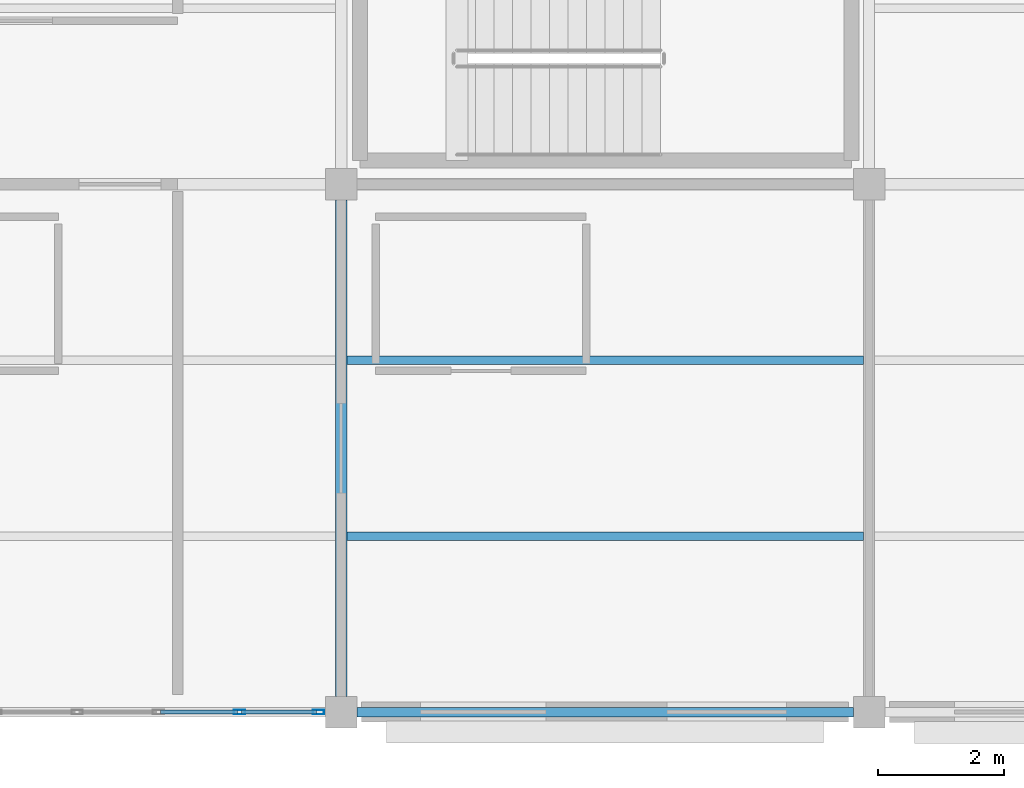
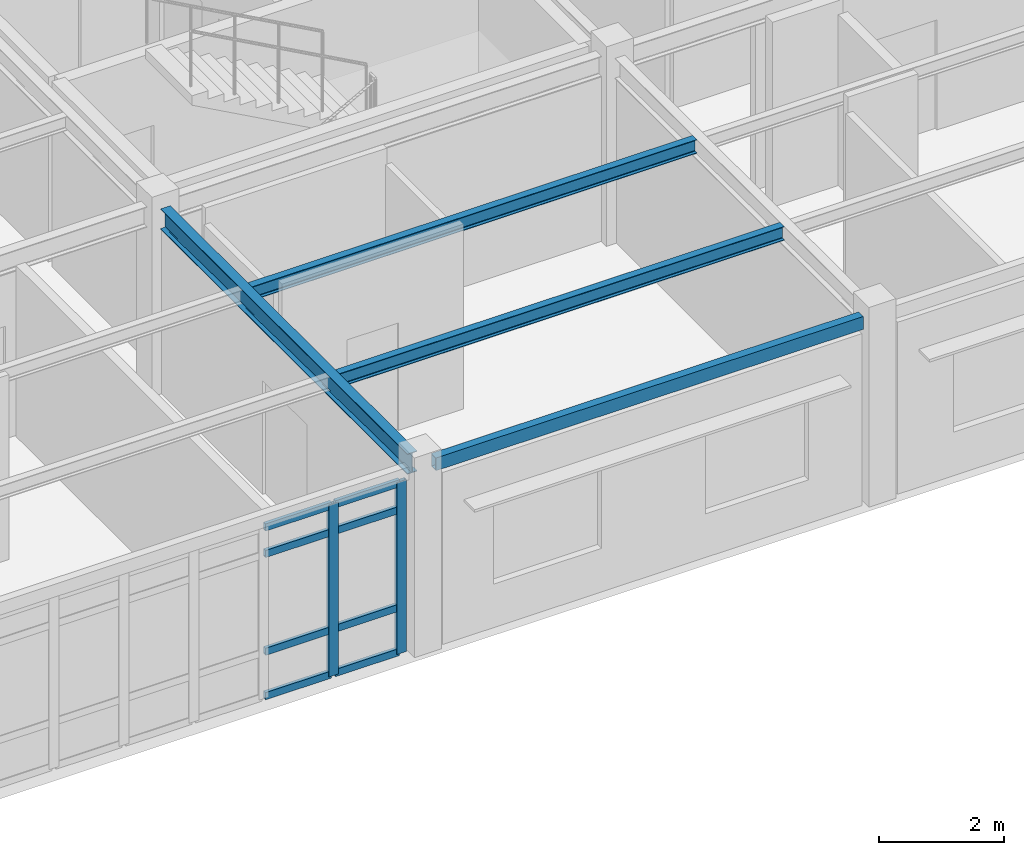
# One storey, part 4 of 53: 10 members, 4 beams, 1 element without a shape of its own.
"""IFC4 building model written with IfcOpenShell, lengths in metres."""

from ifc_helpers import new_model, si_unit, direction, frame, origin, origin_2d, place, context, subcontext, project, spatial, hollow_rectangle, i_section, extrude, material, layer, layer_set, material_profile, profile_set, type_object, element, aggregate, save


model = new_model("IFC4")

# Units and contexts
model_context = context("Model", 3, precision=1e-05, world=origin(), true_north=direction((0.0, 1.0)))
body_context = subcontext(model_context, "Body", "Model", "MODEL_VIEW")
ifc_project = project(units=[si_unit("LENGTHUNIT", "METRE"), si_unit("AREAUNIT", "SQUARE_METRE"), si_unit("VOLUMEUNIT", "CUBIC_METRE"), si_unit("PLANEANGLEUNIT", "RADIAN"), si_unit("MASSUNIT", "GRAM", prefix="KILO")], contexts=[model_context])

# Site, building, storey
site_placement = place(None, origin())
site = spatial("IfcSite", under=ifc_project, at=site_placement, CompositionType="ELEMENT")
building_placement = place(site_placement, origin())
building = spatial("IfcBuilding", under=site, at=building_placement, Name="Bramfleet General Hospital", CompositionType="ELEMENT")
storey_placement = place(building_placement, frame((0.0, 0.0, 26.39990234375)))
storey = spatial("IfcBuildingStorey", under=building, at=storey_placement, Name="L06", CompositionType="ELEMENT", Elevation=26.39990234375)

# Beams
ifc_material_1 = material(Name="Steel S355", Category="steel")
ifc_material_profile_1 = material_profile(ifc_material_1, i_section(OverallWidth=0.135009765625, OverallDepth=0.27001953125, WebThickness=0.006591796875, FlangeThickness=0.01025390625, FilletRadius=0.014892578125, at=origin_2d()), Name="IPE 270")
ifc_profile_set_1 = profile_set([ifc_material_profile_1], Name="Steel S355")
beam_type_1 = type_object("IfcBeamType", Name="BM-IPE270", PredefinedType="JOIST", material=ifc_profile_set_1)
for number, where, z_axis, x_axis, name in (
    (1, (100.889892578125, 2.800048828125, 3.485107421875), (1.0, 0.0, 0.0), (0.0, 1.0, 0.0), "L06 Secondary Joist 12-00-1"),
    (2, (100.889892578125, 5.60009765625, 3.485107421875), (1.0, 0.0, 0.0), (0.0, 1.0, 0.0), "L06 Secondary Joist 12-00-2"),
):
    element("IfcBeam", number, at=place(storey_placement, frame(where, z_axis=z_axis, x_axis=x_axis)), inside=storey, type_object=beam_type_1, Name=name, PredefinedType="JOIST", context=body_context, shape_type="SweptSolid", body=[
        extrude(i_section(OverallWidth=0.135009765625, OverallDepth=0.27001953125, WebThickness=0.006591796875, FlangeThickness=0.01025390625, FilletRadius=0.014892578125, at=origin_2d()), origin(), (0.0, 0.0, 1.0), 8.22021484375),
    ])
ifc_material_profile_2 = material_profile(ifc_material_1, i_section(OverallWidth=0.179931640625, OverallDepth=0.39990234375, WebThickness=0.008544921875, FlangeThickness=0.013427734375, FilletRadius=0.02099609375, at=origin_2d()), Name="IPE 400")
ifc_profile_set_2 = profile_set([ifc_material_profile_2], Name="Steel S355")
beam_type_2 = type_object("IfcBeamType", Name="BM-IPE400", PredefinedType="BEAM", material=ifc_profile_set_2)
beam_1_placement = place(storey_placement, frame((100.800048828125, 0.25, 3.420166015625), z_axis=(0.0, 1.0, 0.0), x_axis=(-1.0, 0.0, 0.0)))
element("IfcBeam", 3, at=beam_1_placement, inside=storey, type_object=beam_type_2, Name="L06 Grid Beam Y 12-00", PredefinedType="BEAM", context=body_context, shape_type="SweptSolid", body=[
    extrude(i_section(OverallWidth=0.179931640625, OverallDepth=0.39990234375, WebThickness=0.008544921875, FlangeThickness=0.013427734375, FilletRadius=0.02099609375, at=origin_2d()), origin(), (0.0, 0.0, 1.0), 7.89990234375),
])
ifc_material_profile_3 = material_profile(ifc_material_1, hollow_rectangle(XDim=0.14990234375, YDim=0.25, WallThickness=0.010009765625, at=origin_2d()), Name="RHS 250x150x10.0")
ifc_profile_set_3 = profile_set([ifc_material_profile_3], Name="Steel S355")
beam_type_3 = type_object("IfcBeamType", Name="BM-RHS250", PredefinedType="SPANDREL", material=ifc_profile_set_3)
beam_2_placement = place(storey_placement, frame((101.050048828125, 0.0, 3.4951171875), z_axis=(1.0, 0.0, 0.0), x_axis=(0.0, 1.0, 0.0)))
element("IfcBeam", 4, at=beam_2_placement, inside=storey, type_object=beam_type_3, Name="L06 Grid Beam X 12-00", PredefinedType="SPANDREL", context=body_context, shape_type="SweptSolid", body=[
    extrude(hollow_rectangle(XDim=0.14990234375, YDim=0.25, WallThickness=0.010009765625, at=origin_2d()), origin(), (0.0, 0.0, 1.0), 7.89990234375),
])

# Curtain wall, members
ifc_material_2 = material(Name="Anodised aluminium and low-E triple glazing", Category="aluminium")
ifc_layer = layer(ifc_material_2, 0.179931640625, Name="CWT-CW-05")
ifc_layer_set = layer_set([ifc_layer], Name="Anodised aluminium and low-E triple glazing")
curtain_wall_type = type_object("IfcCurtainWallType", Name="CWT-CW-05", PredefinedType="USERDEFINED", material=ifc_layer_set)
curtain_wall_placement = place(storey_placement, origin())
curtain_wall = element("IfcCurtainWall", 5, at=curtain_wall_placement, inside=storey, type_object=curtain_wall_type, Name="L06 Curtain Wall 221", ObjectType="Unitised curtain wall", PredefinedType="USERDEFINED")
ifc_material_3 = material(Name="Anodised aluminium EN AW-6060", Category="aluminium")
ifc_material_profile_4 = material_profile(ifc_material_3, hollow_rectangle(XDim=0.070068359375, YDim=0.179931640625, WallThickness=0.00390625, at=origin_2d()), Name="ALU 180x70x4.0")
ifc_profile_set_4 = profile_set([ifc_material_profile_4], Name="Anodised aluminium EN AW-6060")
member_type_1 = type_object("IfcMemberType", Name="CWM-ALU180", PredefinedType="MULLION", material=ifc_profile_set_4)
member_1_placement = place(storey_placement, frame((100.43994140625, 0.0, 0.0), z_axis=(0.0, 0.0, 1.0), x_axis=(0.0, -1.0, 0.0)))
member_1 = element("IfcMember", 6, at=member_1_placement, type_object=member_type_1, Name="CW-05 mullion 1", PredefinedType="MULLION", context=body_context, shape_type="SweptSolid", body=[
    extrude(hollow_rectangle(XDim=0.070068359375, YDim=0.179931640625, WallThickness=0.00390625, at=origin_2d()), origin(), (0.0, 0.0, 1.0), 3.360107421875),
])
member_2_placement = place(storey_placement, frame((99.183349609375, 0.0, 0.0), z_axis=(0.0, 0.0, 1.0), x_axis=(0.0, -1.0, 0.0)))
member_2 = element("IfcMember", 7, at=member_2_placement, type_object=member_type_1, Name="CW-05 mullion 2", PredefinedType="MULLION", context=body_context, shape_type="SweptSolid", body=[
    extrude(hollow_rectangle(XDim=0.070068359375, YDim=0.179931640625, WallThickness=0.00390625, at=origin_2d()), origin(), (0.0, 0.0, 1.0), 3.360107421875),
])
ifc_material_profile_5 = material_profile(ifc_material_3, hollow_rectangle(XDim=0.06494140625, YDim=0.139892578125, WallThickness=0.00390625, at=origin_2d()), Name="ALU 140x65x4.0")
ifc_profile_set_5 = profile_set([ifc_material_profile_5], Name="Anodised aluminium EN AW-6060")
member_type_2 = type_object("IfcMemberType", Name="CWT-ALU140", PredefinedType="USERDEFINED", material=ifc_profile_set_5)
member_3_placement = place(storey_placement, frame((100.405029296875, 0.0, 0.03271484375), z_axis=(-1.0, 0.0, 0.0), x_axis=(0.0, -1.0, 0.0)))
member_3 = element("IfcMember", 8, at=member_3_placement, type_object=member_type_2, Name="CW-05 transom 1.1", ObjectType="TRANSOM", PredefinedType="USERDEFINED", context=body_context, shape_type="SweptSolid", body=[
    extrude(hollow_rectangle(XDim=0.06494140625, YDim=0.139892578125, WallThickness=0.00390625, at=origin_2d()), origin(), (0.0, 0.0, 1.0), 1.186767578125),
])
member_4_placement = place(storey_placement, frame((100.405029296875, 0.0, 0.900146484375), z_axis=(-1.0, 0.0, 0.0), x_axis=(0.0, -1.0, 0.0)))
member_4 = element("IfcMember", 9, at=member_4_placement, type_object=member_type_2, Name="CW-05 transom 1.2", ObjectType="TRANSOM", PredefinedType="USERDEFINED", context=body_context, shape_type="SweptSolid", body=[
    extrude(hollow_rectangle(XDim=0.06494140625, YDim=0.139892578125, WallThickness=0.00390625, at=origin_2d()), origin(), (0.0, 0.0, 1.0), 1.186767578125),
])
member_5_placement = place(storey_placement, frame((100.405029296875, 0.0, 2.81005859375), z_axis=(-1.0, 0.0, 0.0), x_axis=(0.0, -1.0, 0.0)))
member_5 = element("IfcMember", 10, at=member_5_placement, type_object=member_type_2, Name="CW-05 transom 1.3", ObjectType="TRANSOM", PredefinedType="USERDEFINED", context=body_context, shape_type="SweptSolid", body=[
    extrude(hollow_rectangle(XDim=0.06494140625, YDim=0.139892578125, WallThickness=0.00390625, at=origin_2d()), origin(), (0.0, 0.0, 1.0), 1.186767578125),
])
member_6_placement = place(storey_placement, frame((100.405029296875, 0.0, 3.32763671875), z_axis=(-1.0, 0.0, 0.0), x_axis=(0.0, -1.0, 0.0)))
member_6 = element("IfcMember", 11, at=member_6_placement, type_object=member_type_2, Name="CW-05 transom 1.4", ObjectType="TRANSOM", PredefinedType="USERDEFINED", context=body_context, shape_type="SweptSolid", body=[
    extrude(hollow_rectangle(XDim=0.06494140625, YDim=0.139892578125, WallThickness=0.00390625, at=origin_2d()), origin(), (0.0, 0.0, 1.0), 1.186767578125),
])
member_7_placement = place(storey_placement, frame((99.1484375, 0.0, 0.03271484375), z_axis=(-1.0, 0.0, 0.0), x_axis=(0.0, -1.0, 0.0)))
member_7 = element("IfcMember", 12, at=member_7_placement, type_object=member_type_2, Name="CW-05 transom 2.1", ObjectType="TRANSOM", PredefinedType="USERDEFINED", context=body_context, shape_type="SweptSolid", body=[
    extrude(hollow_rectangle(XDim=0.06494140625, YDim=0.139892578125, WallThickness=0.00390625, at=origin_2d()), origin(), (0.0, 0.0, 1.0), 1.2216796875),
])
member_8_placement = place(storey_placement, frame((99.1484375, 0.0, 0.900146484375), z_axis=(-1.0, 0.0, 0.0), x_axis=(0.0, -1.0, 0.0)))
member_8 = element("IfcMember", 13, at=member_8_placement, type_object=member_type_2, Name="CW-05 transom 2.2", ObjectType="TRANSOM", PredefinedType="USERDEFINED", context=body_context, shape_type="SweptSolid", body=[
    extrude(hollow_rectangle(XDim=0.06494140625, YDim=0.139892578125, WallThickness=0.00390625, at=origin_2d()), origin(), (0.0, 0.0, 1.0), 1.2216796875),
])
member_9_placement = place(storey_placement, frame((99.1484375, 0.0, 2.81005859375), z_axis=(-1.0, 0.0, 0.0), x_axis=(0.0, -1.0, 0.0)))
member_9 = element("IfcMember", 14, at=member_9_placement, type_object=member_type_2, Name="CW-05 transom 2.3", ObjectType="TRANSOM", PredefinedType="USERDEFINED", context=body_context, shape_type="SweptSolid", body=[
    extrude(hollow_rectangle(XDim=0.06494140625, YDim=0.139892578125, WallThickness=0.00390625, at=origin_2d()), origin(), (0.0, 0.0, 1.0), 1.2216796875),
])
member_10_placement = place(storey_placement, frame((99.1484375, 0.0, 3.32763671875), z_axis=(-1.0, 0.0, 0.0), x_axis=(0.0, -1.0, 0.0)))
member_10 = element("IfcMember", 15, at=member_10_placement, type_object=member_type_2, Name="CW-05 transom 2.4", ObjectType="TRANSOM", PredefinedType="USERDEFINED", context=body_context, shape_type="SweptSolid", body=[
    extrude(hollow_rectangle(XDim=0.06494140625, YDim=0.139892578125, WallThickness=0.00390625, at=origin_2d()), origin(), (0.0, 0.0, 1.0), 1.2216796875),
])
aggregate(curtain_wall, [member_1, member_2, member_3, member_4, member_5, member_6, member_7, member_8, member_9, member_10])

save(model, "model.ifc")
